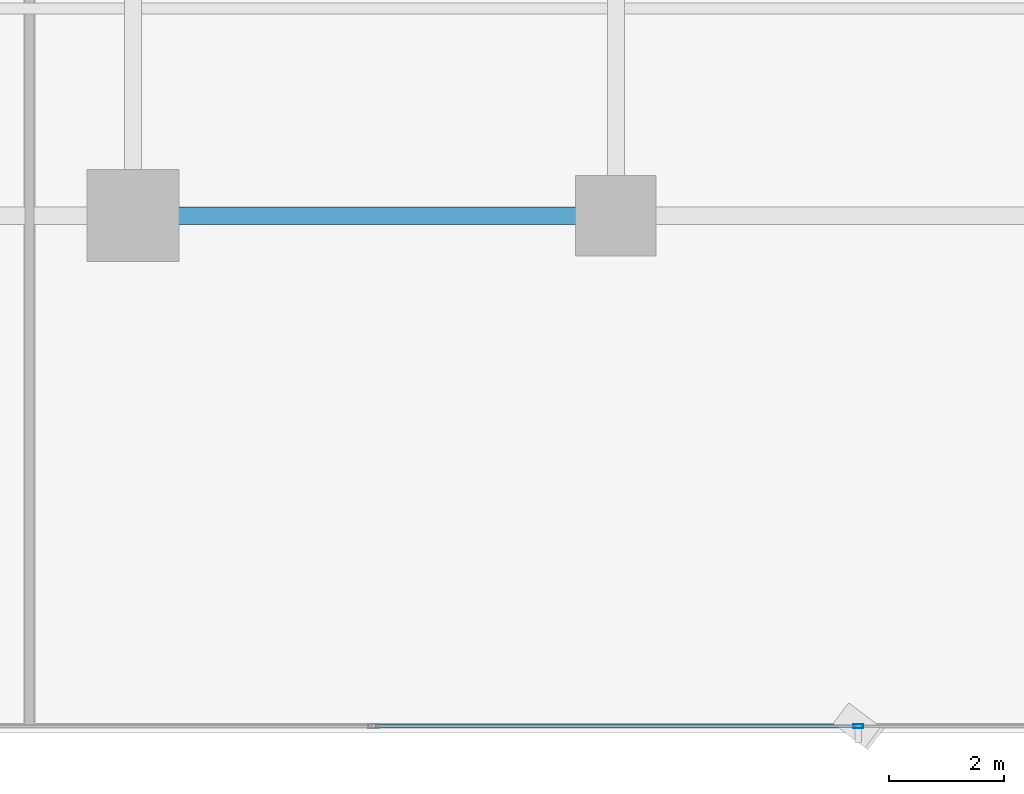
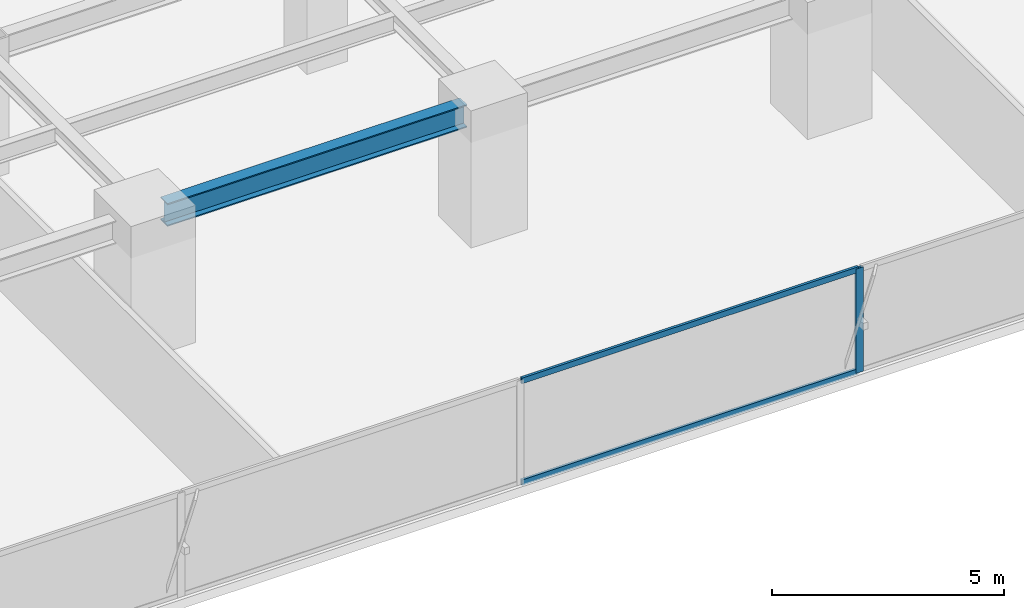
# One storey, part 5 of 32: 3 members, 1 beam, 1 element without a shape of its own.
"""IFC4 building model written with IfcOpenShell, lengths in metres."""

from ifc_helpers import new_model, si_unit, direction, frame, origin, origin_2d, place, context, subcontext, project, spatial, hollow_rectangle, i_section, extrude, source, transform, mapped, material, layer, layer_set, material_profile, profile_set, type_object, element, aggregate, save


model = new_model("IFC4")

# Units and contexts
model_context = context("Model", 3, precision=1e-05, world=origin(), true_north=direction((0.0, 1.0)))
body_context = subcontext(model_context, "Body", "Model", "MODEL_VIEW")
ifc_project = project(units=[si_unit("LENGTHUNIT", "METRE"), si_unit("AREAUNIT", "SQUARE_METRE"), si_unit("VOLUMEUNIT", "CUBIC_METRE"), si_unit("PLANEANGLEUNIT", "RADIAN"), si_unit("MASSUNIT", "GRAM", prefix="KILO")], contexts=[model_context])

# Site, building, storey
site_placement = place(None, origin())
site = spatial("IfcSite", under=ifc_project, at=site_placement, CompositionType="ELEMENT")
building_placement = place(site_placement, origin())
building = spatial("IfcBuilding", under=site, at=building_placement, Name="Sumidabori Civic Tower", CompositionType="ELEMENT")
storey_placement = place(building_placement, frame((0.0, 0.0, 45.199951171875)))
storey = spatial("IfcBuildingStorey", under=building, at=storey_placement, Name="L11", CompositionType="ELEMENT", Elevation=45.199951171875)

# Beam
ifc_material_1 = material(Name="Steel SN490", Category="steel")
ifc_material_profile_1 = material_profile(ifc_material_1, i_section(OverallWidth=0.300048828125, OverallDepth=0.60009765625, WebThickness=0.015380859375, FlangeThickness=0.030029296875, at=origin_2d()), Name="HE 600 B")
ifc_profile_set_1 = profile_set([ifc_material_profile_1], Name="Steel SN490")
beam_type = type_object("IfcBeamType", Name="BM-GIRD-600", PredefinedType="BEAM", material=ifc_profile_set_1)
shared_shape_1 = source(origin(), body_context, "Body", "SweptSolid", [
    extrude(i_section(OverallWidth=0.300048828125, OverallDepth=0.60009765625, WebThickness=0.015380859375, FlangeThickness=0.030029296875, at=origin_2d()), origin(), (0.0, 0.0, 1.0), 7.43994140625),
])
beam_placement = place(storey_placement, frame((-7.919921875, -18.0, 3.06005859375), z_axis=(1.0, 0.0, 0.0), x_axis=(0.0, 1.0, 0.0)))
element("IfcBeam", 1, at=beam_placement, inside=storey, type_object=beam_type, Name="Primary Girder L11 GX-03", PredefinedType="BEAM", context=body_context, shape_type="MappedRepresentation", body=[
    mapped(shared_shape_1, transform((0.0, 0.0, 0.0), x_axis=(1.0, 0.0, 0.0), y_axis=(0.0, 1.0, 0.0), z_axis=(0.0, 0.0, 1.0), scale=1.0)),
])

# Curtain wall, members
ifc_material_2 = material(Name="Anodised Bronze Aluminium AW-6063-T6", Category="aluminium")
ifc_layer = layer(ifc_material_2, 0.179931640625, Name="Anodised Bronze Aluminium AW-6063-T6")
ifc_layer_set = layer_set([ifc_layer], Name="Anodised Bronze Aluminium AW-6063-T6")
curtain_wall_type = type_object("IfcCurtainWallType", Name="CW-SYS-2", PredefinedType="NOTDEFINED", material=ifc_layer_set)
curtain_wall_placement = place(storey_placement, origin())
curtain_wall = element("IfcCurtainWall", 2, at=curtain_wall_placement, inside=storey, type_object=curtain_wall_type, Name="Curtain Wall CW:L11:R01", PredefinedType="NOTDEFINED")
ifc_material_profile_2 = material_profile(ifc_material_2, hollow_rectangle(XDim=0.070068359375, YDim=0.179931640625, WallThickness=0.006103515625, at=origin_2d()), Name="ALU MULLION 180x70")
ifc_profile_set_2 = profile_set([ifc_material_profile_2], Name="Anodised Bronze Aluminium AW-6063-T6")
member_type_1 = type_object("IfcMemberType", Name="CW-MUL-180", PredefinedType="MULLION", material=ifc_profile_set_2)
shared_shape_2 = source(origin(), body_context, "Body", "SweptSolid", [
    extrude(hollow_rectangle(XDim=0.070068359375, YDim=0.179931640625, WallThickness=0.006103515625, at=origin_2d()), origin(), (0.0, 0.0, 1.0), 2.739990234375),
])
member_1_placement = place(storey_placement, frame((4.214111328125, -26.8798828125, 0.0), z_axis=(0.0, 0.0, 1.0), x_axis=(0.0, 1.0, 0.0)))
member_1 = element("IfcMember", 3, at=member_1_placement, type_object=member_type_1, Name="CW-2 mullion 4", PredefinedType="MULLION", context=body_context, shape_type="MappedRepresentation", body=[
    mapped(shared_shape_2, transform((0.0, 0.0, 0.0), x_axis=(1.0, 0.0, 0.0), y_axis=(0.0, 1.0, 0.0), z_axis=(0.0, 0.0, 1.0), scale=1.0)),
])
ifc_material_profile_3 = material_profile(ifc_material_2, hollow_rectangle(XDim=0.06494140625, YDim=0.14990234375, WallThickness=0.0048828125, at=origin_2d()), Name="ALU TRANSOM 150x65")
ifc_profile_set_3 = profile_set([ifc_material_profile_3], Name="Anodised Bronze Aluminium AW-6063-T6")
member_type_2 = type_object("IfcMemberType", Name="CW-TRN-150", PredefinedType="USERDEFINED", material=ifc_profile_set_3)
shared_shape_3 = source(origin(), body_context, "Body", "SweptSolid", [
    extrude(hollow_rectangle(XDim=0.06494140625, YDim=0.14990234375, WallThickness=0.0048828125, at=origin_2d()), origin(), (0.0, 0.0, 1.0), 8.35791015625),
])
member_2_placement = place(storey_placement, frame((-4.178955078125, -26.8798828125, 0.032470703125), z_axis=(1.0, 0.0, 0.0), x_axis=(0.0, 1.0, 0.0)))
member_2 = element("IfcMember", 4, at=member_2_placement, type_object=member_type_2, Name="CW-2 transom 3.1", ObjectType="TRANSOM", PredefinedType="USERDEFINED", context=body_context, shape_type="MappedRepresentation", body=[
    mapped(shared_shape_3, transform((0.0, 0.0, 0.0), x_axis=(1.0, 0.0, 0.0), y_axis=(0.0, 1.0, 0.0), z_axis=(0.0, 0.0, 1.0), scale=1.0)),
])
member_3_placement = place(storey_placement, frame((-4.178955078125, -26.8798828125, 2.70751953125), z_axis=(1.0, 0.0, 0.0), x_axis=(0.0, 1.0, 0.0)))
member_3 = element("IfcMember", 5, at=member_3_placement, type_object=member_type_2, Name="CW-2 transom 3.2", ObjectType="TRANSOM", PredefinedType="USERDEFINED", context=body_context, shape_type="MappedRepresentation", body=[
    mapped(shared_shape_3, transform((0.0, 0.0, 0.0), x_axis=(1.0, 0.0, 0.0), y_axis=(0.0, 1.0, 0.0), z_axis=(0.0, 0.0, 1.0), scale=1.0)),
])
aggregate(curtain_wall, [member_1, member_2, member_3])

save(model, "model.ifc")
